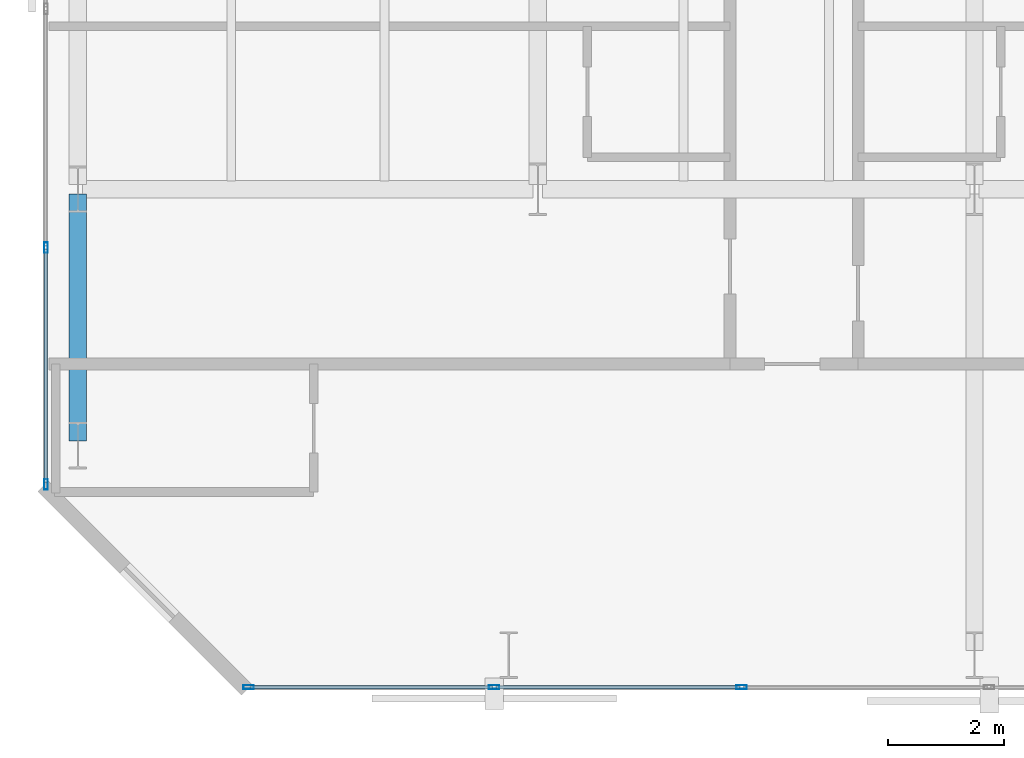
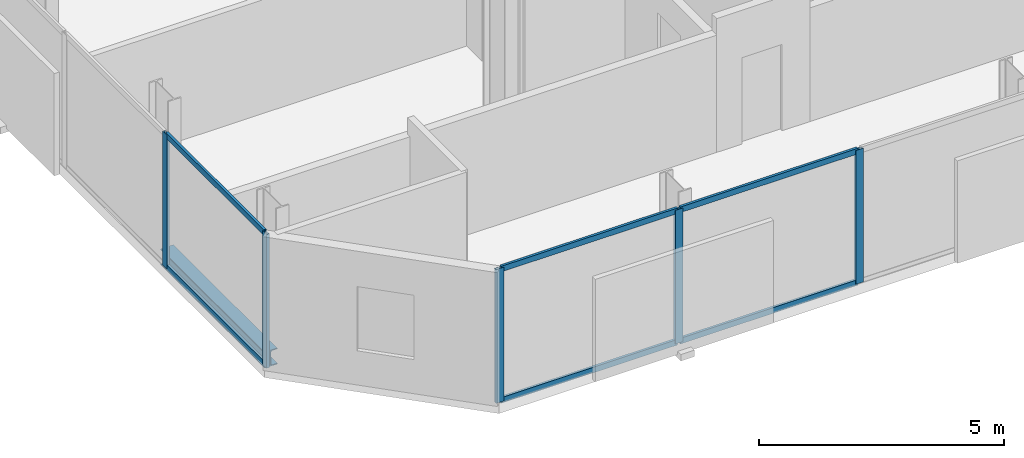
# One storey, part 3 of 32: 11 members, 1 beam, 2 elements without a shape of their own.
"""IFC4 building model written with IfcOpenShell, lengths in metres."""

import ifcopenshell
import ifcopenshell.guid

model = None  # the IFC model being written
_history = None  # IfcOwnerHistory: only IFC2X3 demands one
_inside = {}  # id of a spatial element -> (the spatial element, [elements in it])
_under = {}  # id of a project, library or spatial element -> (it, [spatial elements below it])
_declared = {}  # id of a project -> (the project, [libraries it declares])
_typed = {}  # id of a type object -> (the type object, [elements of that type])
_made_of = {}  # id of a material, layer set ... -> (it, [elements and type objects made of it])


def new_model(schema):
    """Start an empty IFC model of exactly this schema.

    Asked for "IFC4X3", IfcOpenShell would pick the latest addendum, in which some entities
    have other attributes; the version numbers below select the first issue.
    IFC2X3 requires an IfcOwnerHistory on every rooted entity: one is made here for all.
    """
    global model, _history
    if schema == "IFC4X3":
        model = ifcopenshell.file(schema_version=(4, 3, 0, 0))
    else:
        model = ifcopenshell.file(schema=schema)
    _inside.clear()
    _under.clear()
    _declared.clear()
    _typed.clear()
    _made_of.clear()
    _history = None
    if model.schema == "IFC2X3":
        org = make("IfcOrganization", Name="unknown")
        user = make(
            "IfcPersonAndOrganization",
            ThePerson=make("IfcPerson", FamilyName="unknown"),
            TheOrganization=org,
        )
        app = make(
            "IfcApplication",
            ApplicationDeveloper=org,
            Version="unknown",
            ApplicationFullName="unknown",
            ApplicationIdentifier="unknown",
        )
        _history = make(
            "IfcOwnerHistory",
            OwningUser=user,
            OwningApplication=app,
            ChangeAction="ADDED",
            CreationDate=0,
        )
    return model


def make(cls, **values):
    """One entity of the class cls with the attributes given. An attribute that is None is left unset."""
    return model.create_entity(
        cls, **{name: value for name, value in values.items() if value is not None}
    )


def rooted(cls, **values):
    """An entity with a GlobalId (a new one), such as an element, a storey or a relation."""
    return make(cls, GlobalId=ifcopenshell.guid.new(), OwnerHistory=_history, **values)


def si_unit(unit_type, name, prefix=None):
    """IfcSIUnit, for example si_unit("LENGTHUNIT", "METRE", prefix="MILLI")."""
    return make("IfcSIUnit", UnitType=unit_type, Prefix=prefix, Name=name)


def assignment(units):
    """IfcUnitAssignment: the units of a project."""
    return None if units is None else make("IfcUnitAssignment", Units=units)


def point(xyz):
    """IfcCartesianPoint."""
    return None if xyz is None else make("IfcCartesianPoint", Coordinates=xyz)


def direction(xyz):
    """IfcDirection."""
    return None if xyz is None else make("IfcDirection", DirectionRatios=xyz)


def frame(location, z_axis=None, x_axis=None):
    """IfcAxis2Placement3D, a coordinate frame: its origin and axes. An axis left out is left unset."""
    return make(
        "IfcAxis2Placement3D",
        Location=point(location),
        Axis=direction(z_axis),
        RefDirection=direction(x_axis),
    )


def frame_2d(location, x_axis=None):
    """IfcAxis2Placement2D, a coordinate frame in the plane: its origin and x axis."""
    return make(
        "IfcAxis2Placement2D", Location=point(location), RefDirection=direction(x_axis)
    )


def origin():
    """The frame at (0, 0, 0) with its axes left unset."""
    return frame((0.0, 0.0, 0.0))


def origin_2d():
    """The frame at (0, 0) in the plane with its x axis left unset."""
    return frame_2d((0.0, 0.0))


def place(relative_to, where):
    """IfcLocalPlacement: puts the frame where relative to a parent placement (None: the world)."""
    return make(
        "IfcLocalPlacement", PlacementRelTo=relative_to, RelativePlacement=where
    )


def context(
    kind, dimensions, precision=None, world=None, true_north=None, identifier=None
):
    """IfcGeometricRepresentationContext, for example the 3D "Model" context."""
    return make(
        "IfcGeometricRepresentationContext",
        ContextIdentifier=identifier,
        ContextType=kind,
        CoordinateSpaceDimension=dimensions,
        Precision=precision,
        WorldCoordinateSystem=world,
        TrueNorth=true_north,
    )


def subcontext(parent, identifier, kind, view, scale=None):
    """IfcGeometricRepresentationSubContext, for example "Body" below "Model"."""
    return make(
        "IfcGeometricRepresentationSubContext",
        ContextIdentifier=identifier,
        ContextType=kind,
        ParentContext=parent,
        TargetScale=scale,
        TargetView=view,
    )


def project(units=None, contexts=None):
    """IfcProject with its units and contexts."""
    return rooted(
        "IfcProject",
        Name="project",
        RepresentationContexts=contexts,
        UnitsInContext=assignment(units),
    )


def spatial(cls, under=None, at=None, **own):
    """A site, building, storey or space (cls), placed at a placement, below another one or the project."""
    s = rooted(cls, ObjectPlacement=at, **own)
    if under is not None:
        _under.setdefault(under.id(), (under, []))[1].append(s)
    return s


def profile(cls, at=None, kind="AREA", **sizes):
    """A parametric profile (cls). Its sizes go by their IFC names, for example OverallWidth=200.0."""
    return make(cls, ProfileType=kind, Position=at, **sizes)


def hollow_rectangle(**sizes):
    """IfcRectangleHollowProfileDef."""
    return profile("IfcRectangleHollowProfileDef", **sizes)


def i_section(**sizes):
    """IfcIShapeProfileDef."""
    return profile("IfcIShapeProfileDef", **sizes)


def extrude(swept, where, along, depth):
    """IfcExtrudedAreaSolid: the profile swept, set in the frame where, extruded along a direction by depth."""
    return make(
        "IfcExtrudedAreaSolid",
        SweptArea=swept,
        Position=where,
        ExtrudedDirection=direction(along),
        Depth=depth,
    )


def shape(context_of_items, identifier, shape_type, items):
    """IfcShapeRepresentation: the items that make up one representation, for example the "Body"."""
    return make(
        "IfcShapeRepresentation",
        ContextOfItems=context_of_items,
        RepresentationIdentifier=identifier,
        RepresentationType=shape_type,
        Items=items,
    )


def material(Name=None, Category=None):
    """IfcMaterial."""
    return make("IfcMaterial", Name=Name, Category=Category)


def layer(
    of_material, thickness, ventilated=None, Name=None, Category=None, Priority=None
):
    """IfcMaterialLayer: one layer of a wall or slab, of a material (None: an air gap)."""
    return make(
        "IfcMaterialLayer",
        Material=of_material,
        LayerThickness=thickness,
        IsVentilated=ventilated,
        Name=Name,
        Category=Category,
        Priority=Priority,
    )


def layer_set(layers, Name=None):
    """IfcMaterialLayerSet."""
    return make("IfcMaterialLayerSet", MaterialLayers=layers, LayerSetName=Name)


def material_profile(
    of_material, cross_section, Name=None, Category=None, Priority=None
):
    """IfcMaterialProfile: a cross section and its material."""
    return make(
        "IfcMaterialProfile",
        Name=Name,
        Material=of_material,
        Profile=cross_section,
        Priority=Priority,
        Category=Category,
    )


def profile_set(profiles, Name=None, composite=None):
    """IfcMaterialProfileSet."""
    return make(
        "IfcMaterialProfileSet",
        Name=Name,
        MaterialProfiles=profiles,
        CompositeProfile=composite,
    )


def made_of(thing, what):
    """Note that an element or type object is made of a material, layer set ...; save() writes the relation."""
    if what is not None:
        _made_of.setdefault(what.id(), (what, []))[1].append(thing)
    return thing


def type_object(cls, material=None, **own):
    """A type object (cls), such as IfcWallType, which elements share."""
    return made_of(rooted(cls, **own), material)


def element(
    cls,
    number,
    at=None,
    inside=None,
    cuts=None,
    type_object=None,
    material=None,
    context=None,
    identifier="Body",
    shape_type=None,
    held_by="IfcProductDefinitionShape",
    body=None,
    shapes=None,
    **own,
):
    """One element of the class cls, such as IfcWall. Its Tag is "e" and its number.

    at: its placement. inside: the storey or other place that contains it. cuts: it is an
    opening in that element (IfcRelVoidsElement). A single representation is given by context,
    identifier, shape_type and body (its items); several are given by shapes. held_by: the class
    of the entity that holds the representations. save() writes the other relations.
    """
    e = rooted(cls, Tag="e%d" % number, ObjectPlacement=at, **own)
    if body is not None:
        shapes = [shape(context, identifier, shape_type, body)]
    if shapes is not None:
        e.Representation = make(held_by, Representations=shapes)
    if inside is not None:
        _inside.setdefault(inside.id(), (inside, []))[1].append(e)
    if cuts is not None:
        rooted(
            "IfcRelVoidsElement", RelatingBuildingElement=cuts, RelatedOpeningElement=e
        )
    if type_object is not None:
        _typed.setdefault(type_object.id(), (type_object, []))[1].append(e)
    return made_of(e, material)


def aggregate(whole, parts):
    """IfcRelAggregates: a whole, such as a stair, and the parts it consists of."""
    return rooted("IfcRelAggregates", RelatingObject=whole, RelatedObjects=parts)


def save(model, path):
    """Write the relations noted so far, then the file.

    IfcRelAggregates (storeys below a building ...), IfcRelContainedInSpatialStructure (elements
    in a storey), IfcRelDefinesByType, IfcRelAssociatesMaterial and IfcRelDeclares: one each for
    every whole, place, type object, material and project.
    """
    for whole, parts in _under.values():
        aggregate(whole, parts)
    for where, things in _inside.values():
        rooted(
            "IfcRelContainedInSpatialStructure",
            RelatedElements=things,
            RelatingStructure=where,
        )
    for kind, things in _typed.values():
        rooted("IfcRelDefinesByType", RelatedObjects=things, RelatingType=kind)
    for what, things in _made_of.values():
        rooted("IfcRelAssociatesMaterial", RelatedObjects=things, RelatingMaterial=what)
    for by, libraries in _declared.values():
        rooted("IfcRelDeclares", RelatingContext=by, RelatedDefinitions=libraries)
    model.write(path)


model = new_model("IFC4")

# Units and contexts
model_context = context("Model", 3, precision=1e-05, world=origin(), true_north=direction((0.0, 1.0)))
body_context = subcontext(model_context, "Body", "Model", "MODEL_VIEW")
ifc_project = project(units=[si_unit("LENGTHUNIT", "METRE"), si_unit("AREAUNIT", "SQUARE_METRE"), si_unit("VOLUMEUNIT", "CUBIC_METRE"), si_unit("PLANEANGLEUNIT", "RADIAN"), si_unit("MASSUNIT", "GRAM", prefix="KILO")], contexts=[model_context])

# Site, building, storey
site_placement = place(None, origin())
site = spatial("IfcSite", under=ifc_project, at=site_placement, CompositionType="ELEMENT")
building_placement = place(site_placement, origin())
building = spatial("IfcBuilding", under=site, at=building_placement, Name="Catumbela Crestline Tower", CompositionType="ELEMENT")
storey_placement = place(building_placement, frame((0.0, 0.0, 69.0)))
storey = spatial("IfcBuildingStorey", under=building, at=storey_placement, Name="L17", CompositionType="ELEMENT", Elevation=69.0)

# Curtain wall, members
ifc_material_1 = material(Name="Aluminium alloy AW-6060-T66", Category="aluminium")
ifc_layer = layer(ifc_material_1, 0.18, Name="Aluminium alloy AW-6060-T66")
ifc_layer_set = layer_set([ifc_layer], Name="Aluminium alloy AW-6060-T66")
curtain_wall_type = type_object("IfcCurtainWallType", Name="CWU-Z1", PredefinedType="USERDEFINED", material=ifc_layer_set)
curtain_wall_1_placement = place(storey_placement, origin())
curtain_wall_1 = element("IfcCurtainWall", 1, at=curtain_wall_1_placement, inside=storey, type_object=curtain_wall_type, Name="L17 Unitised Curtain Wall CW-L17-E0S1", ObjectType="UNITISED", PredefinedType="USERDEFINED")
ifc_material_profile_1 = material_profile(ifc_material_1, hollow_rectangle(XDim=0.065, YDim=0.18, WallThickness=0.004, at=origin_2d()), Name="ALU 180x65x4")
ifc_profile_set_1 = profile_set([ifc_material_profile_1], Name="Aluminium alloy AW-6060-T66")
member_type_1 = type_object("IfcMemberType", Name="MUL-180X65", PredefinedType="MULLION", material=ifc_profile_set_1)
member_1_placement = place(storey_placement, frame((3.5325, 0.05, 0.0), z_axis=(0.0, 0.0, 1.0), x_axis=(0.0, 1.0, 0.0)))
member_1 = element("IfcMember", 2, at=member_1_placement, type_object=member_type_1, Name="CWU-Z1 mullion 1", PredefinedType="MULLION", context=body_context, shape_type="SweptSolid", body=[
    extrude(hollow_rectangle(XDim=0.065, YDim=0.18, WallThickness=0.004, at=origin_2d()), origin(), (0.0, 0.0, 1.0), 3.33),
])
member_2_placement = place(storey_placement, frame((7.75, 0.05, 0.0), z_axis=(0.0, 0.0, 1.0), x_axis=(0.0, 1.0, 0.0)))
member_2 = element("IfcMember", 3, at=member_2_placement, type_object=member_type_1, Name="CWU-Z1 mullion 2", PredefinedType="MULLION", context=body_context, shape_type="SweptSolid", body=[
    extrude(hollow_rectangle(XDim=0.065, YDim=0.18, WallThickness=0.004, at=origin_2d()), origin(), (0.0, 0.0, 1.0), 3.33),
])
member_3_placement = place(storey_placement, frame((12.0, 0.05, 0.0), z_axis=(0.0, 0.0, 1.0), x_axis=(0.0, 1.0, 0.0)))
member_3 = element("IfcMember", 4, at=member_3_placement, type_object=member_type_1, Name="CWU-Z1 mullion 3", PredefinedType="MULLION", context=body_context, shape_type="SweptSolid", body=[
    extrude(hollow_rectangle(XDim=0.065, YDim=0.18, WallThickness=0.004, at=origin_2d()), origin(), (0.0, 0.0, 1.0), 3.33),
])

curtain_wall_2_placement = place(storey_placement, origin())
curtain_wall_2 = element("IfcCurtainWall", 5, at=curtain_wall_2_placement, inside=storey, type_object=curtain_wall_type, Name="L17 Unitised Curtain Wall CW-L17-E9S1", ObjectType="UNITISED", PredefinedType="USERDEFINED")
member_4_placement = place(storey_placement, frame((0.05, 7.6, 0.0), z_axis=(0.0, 0.0, 1.0), x_axis=(1.0, 0.0, 0.0)))
member_4 = element("IfcMember", 6, at=member_4_placement, type_object=member_type_1, Name="CWU-Z1 mullion 10", PredefinedType="MULLION", context=body_context, shape_type="SweptSolid", body=[
    extrude(hollow_rectangle(XDim=0.065, YDim=0.18, WallThickness=0.004, at=origin_2d()), origin(), (0.0, 0.0, 1.0), 3.33),
])
member_5_placement = place(storey_placement, frame((0.05, 3.5325, 0.0), z_axis=(0.0, 0.0, 1.0), x_axis=(1.0, 0.0, 0.0)))
member_5 = element("IfcMember", 7, at=member_5_placement, type_object=member_type_1, Name="CWU-Z1 mullion 11", PredefinedType="MULLION", context=body_context, shape_type="SweptSolid", body=[
    extrude(hollow_rectangle(XDim=0.065, YDim=0.18, WallThickness=0.004, at=origin_2d()), origin(), (0.0, 0.0, 1.0), 3.33),
])

# Beam
ifc_material_2 = material(Name="Structural steel S355J2", Category="steel")
ifc_material_profile_2 = material_profile(ifc_material_2, i_section(OverallWidth=0.3, OverallDepth=0.4, WebThickness=0.0135, FlangeThickness=0.024, FilletRadius=0.027, at=origin_2d()), Name="HEB 400")
ifc_profile_set_2 = profile_set([ifc_material_profile_2], Name="Structural steel S355J2")
beam_type = type_object("IfcBeamType", Name="BS-HEB400", PredefinedType="SPANDREL", material=ifc_profile_set_2)
beam_placement = place(storey_placement, frame((0.6, 4.28, -0.46), z_axis=(0.0, 1.0, 0.0), x_axis=(-1.0, 0.0, 0.0)))
element("IfcBeam", 8, at=beam_placement, inside=storey, type_object=beam_type, Name="L17 Spandrel SP-L17-WNS57", PredefinedType="SPANDREL", context=body_context, shape_type="SweptSolid", body=[
    extrude(i_section(OverallWidth=0.3, OverallDepth=0.4, WebThickness=0.0135, FlangeThickness=0.024, FilletRadius=0.027, at=origin_2d()), origin(), (0.0, 0.0, 1.0), 4.24),
])

# Member
ifc_material_profile_3 = material_profile(ifc_material_1, hollow_rectangle(XDim=0.06, YDim=0.14, WallThickness=0.004, at=origin_2d()), Name="ALU 140x60x4")
ifc_profile_set_3 = profile_set([ifc_material_profile_3], Name="Aluminium alloy AW-6060-T66")
member_type_2 = type_object("IfcMemberType", Name="TRN-140X60", PredefinedType="USERDEFINED", material=ifc_profile_set_3)
member_6_placement = place(storey_placement, frame((3.565, 0.05, 0.03), z_axis=(1.0, 0.0, 0.0), x_axis=(0.0, 1.0, 0.0)))
member_6 = element("IfcMember", 9, at=member_6_placement, type_object=member_type_2, Name="CWU-Z1 transom 1.1", ObjectType="TRANSOM", PredefinedType="USERDEFINED", context=body_context, shape_type="SweptSolid", body=[
    extrude(hollow_rectangle(XDim=0.06, YDim=0.14, WallThickness=0.004, at=origin_2d()), origin(), (0.0, 0.0, 1.0), 4.1525),
])

member_7_placement = place(storey_placement, frame((3.565, 0.05, 3.3), z_axis=(1.0, 0.0, 0.0), x_axis=(0.0, 1.0, 0.0)))
member_7 = element("IfcMember", 10, at=member_7_placement, type_object=member_type_2, Name="CWU-Z1 transom 1.2", ObjectType="TRANSOM", PredefinedType="USERDEFINED", context=body_context, shape_type="SweptSolid", body=[
    extrude(hollow_rectangle(XDim=0.06, YDim=0.14, WallThickness=0.004, at=origin_2d()), origin(), (0.0, 0.0, 1.0), 4.1525),
])

member_8_placement = place(storey_placement, frame((7.7825, 0.05, 0.03), z_axis=(1.0, 0.0, 0.0), x_axis=(0.0, 1.0, 0.0)))
member_8 = element("IfcMember", 11, at=member_8_placement, type_object=member_type_2, Name="CWU-Z1 transom 2.1", ObjectType="TRANSOM", PredefinedType="USERDEFINED", context=body_context, shape_type="SweptSolid", body=[
    extrude(hollow_rectangle(XDim=0.06, YDim=0.14, WallThickness=0.004, at=origin_2d()), origin(), (0.0, 0.0, 1.0), 4.185),
])

member_9_placement = place(storey_placement, frame((7.7825, 0.05, 3.3), z_axis=(1.0, 0.0, 0.0), x_axis=(0.0, 1.0, 0.0)))
member_9 = element("IfcMember", 12, at=member_9_placement, type_object=member_type_2, Name="CWU-Z1 transom 2.2", ObjectType="TRANSOM", PredefinedType="USERDEFINED", context=body_context, shape_type="SweptSolid", body=[
    extrude(hollow_rectangle(XDim=0.06, YDim=0.14, WallThickness=0.004, at=origin_2d()), origin(), (0.0, 0.0, 1.0), 4.185),
])

aggregate(curtain_wall_1, [member_1, member_2, member_3, member_6, member_7, member_8, member_9])

member_10_placement = place(storey_placement, frame((0.05, 7.5675, 0.03), z_axis=(0.0, -1.0, 0.0), x_axis=(1.0, 0.0, 0.0)))
member_10 = element("IfcMember", 13, at=member_10_placement, type_object=member_type_2, Name="CWU-Z1 transom 10.1", ObjectType="TRANSOM", PredefinedType="USERDEFINED", context=body_context, shape_type="SweptSolid", body=[
    extrude(hollow_rectangle(XDim=0.06, YDim=0.14, WallThickness=0.004, at=origin_2d()), origin(), (0.0, 0.0, 1.0), 4.0025),
])

member_11_placement = place(storey_placement, frame((0.05, 7.5675, 3.3), z_axis=(0.0, -1.0, 0.0), x_axis=(1.0, 0.0, 0.0)))
member_11 = element("IfcMember", 14, at=member_11_placement, type_object=member_type_2, Name="CWU-Z1 transom 10.2", ObjectType="TRANSOM", PredefinedType="USERDEFINED", context=body_context, shape_type="SweptSolid", body=[
    extrude(hollow_rectangle(XDim=0.06, YDim=0.14, WallThickness=0.004, at=origin_2d()), origin(), (0.0, 0.0, 1.0), 4.0025),
])

aggregate(curtain_wall_2, [member_4, member_5, member_10, member_11])

save(model, "model.ifc")
